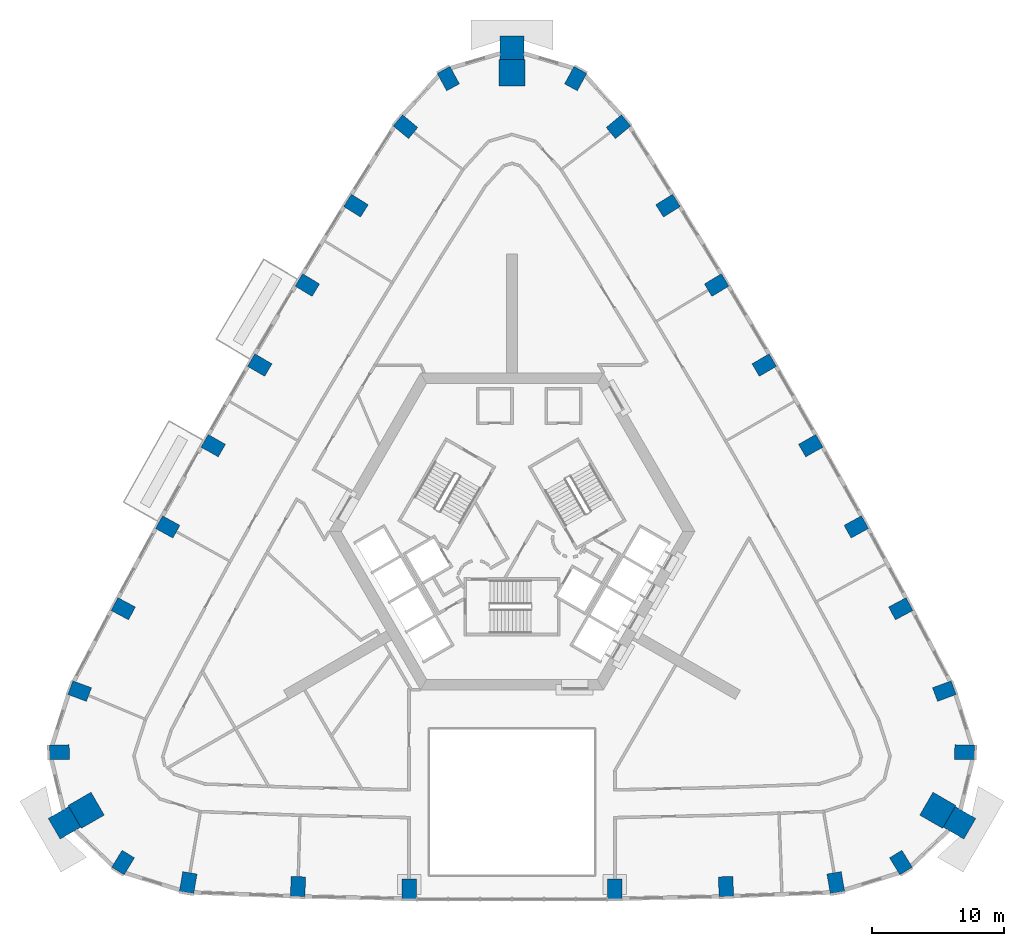
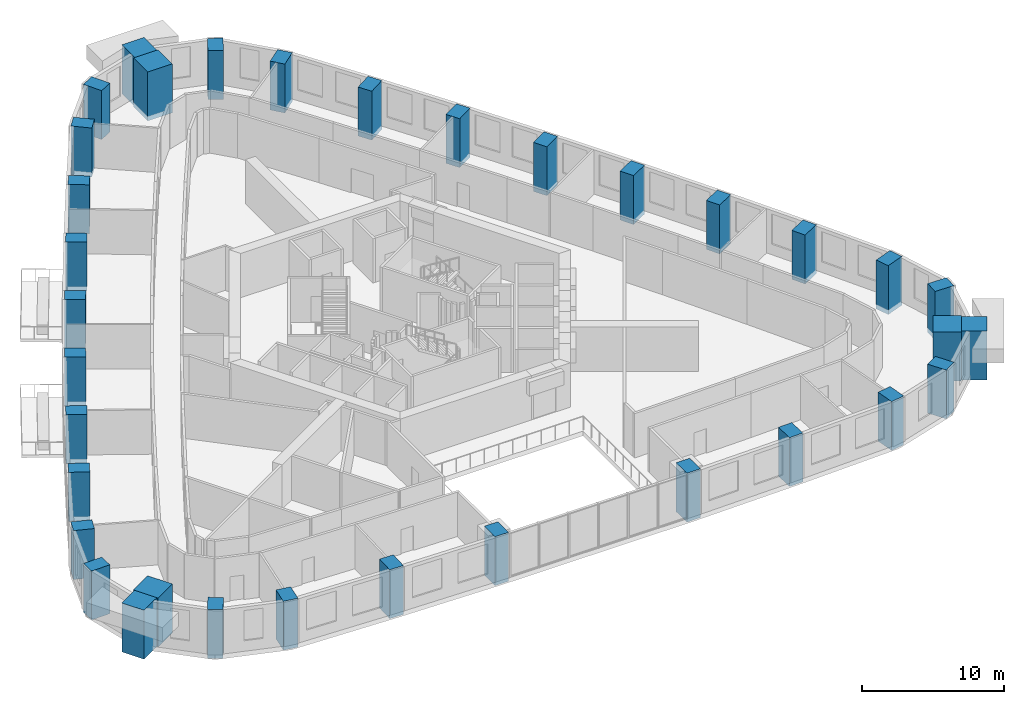
# One storey, part 1 of 15: 34 columns.
"""IFC4 building model written with IfcOpenShell, lengths in metres."""

from ifc_helpers import new_model, si_unit, direction, frame, origin, origin_2d, place, context, subcontext, project, spatial, rectangle, extrude, material, material_profile, profile_set, type_object, element, save


model = new_model("IFC4")

# Units and contexts
model_context = context("Model", 3, precision=1e-05, world=origin(), true_north=direction((0.0, 1.0)))
body_context = subcontext(model_context, "Body", "Model", "MODEL_VIEW")
ifc_project = project(units=[si_unit("LENGTHUNIT", "METRE"), si_unit("AREAUNIT", "SQUARE_METRE"), si_unit("VOLUMEUNIT", "CUBIC_METRE"), si_unit("PLANEANGLEUNIT", "RADIAN"), si_unit("MASSUNIT", "GRAM", prefix="KILO")], contexts=[model_context])

# Site, building, storey
site_placement = place(None, origin())
site = spatial("IfcSite", under=ifc_project, at=site_placement, CompositionType="ELEMENT")
building_placement = place(site_placement, origin())
building = spatial("IfcBuilding", under=site, at=building_placement, Name="Entoto Arch Interchange Tower", CompositionType="ELEMENT")
storey_placement = place(building_placement, frame((0.0, 0.0, 171.800048828125)))
storey = spatial("IfcBuildingStorey", under=building, at=storey_placement, Name="L38", CompositionType="ELEMENT", Elevation=171.800048828125)

# Columns
ifc_material_1 = material(Name="Concrete C50/60", Category="concrete")
ifc_material_profile_1 = material_profile(ifc_material_1, rectangle(XDim=1.10009765625, YDim=1.5, at=origin_2d()))
ifc_profile_set_1 = profile_set([ifc_material_profile_1], Name="Concrete C50/60")
column_type_1 = type_object("IfcColumnType", Name="Column RC 1100x1500 C50/60", PredefinedType="COLUMN", material=ifc_profile_set_1)
for number, where, z_axis, x_axis, name in (
    (1, (-24.51806640625, -24.090087890625, -0.400146484375), (0.0, 0.0, 1.0), (-0.985753417505, 0.168196908046, 0.0), "Column S01 L38"),
    (2, (-16.205078125, -24.389892578125, -0.400146484375), (0.0, 0.0, 1.0), (-0.999496089207, 0.031742206272, 0.0), "Column S02 L38"),
    (3, (-7.7890625, -24.572998046875, -0.400146484375), (0.0, 0.0, 1.0), (-0.999931015761, 0.011745795767, 0.0), "Column S03 L38"),
    (4, (7.7890625, -24.572998046875, -0.400146484375), (0.0, 0.0, 1.0), (0.999931015761, 0.011745795767, 0.0), "Column S04 L38"),
    (5, (16.205078125, -24.389892578125, -0.400146484375), (0.0, 0.0, 1.0), (0.999496089207, 0.031742206272, 0.0), "Column S05 L38"),
    (6, (24.51806640625, -24.090087890625, -0.400146484375), (0.0, 0.0, 1.0), (0.985753417505, 0.168196908046, 0.0), "Column S06 L38"),
    (7, (29.449951171875, -22.571044921875, -0.400146484375), (0.0, 0.0, 1.0), (0.853714435155, 0.520741455243, 0.0), "Column SE1 L38"),
    (8, (34.27099609375, -14.218994140625, -0.400146484375), (0.0, 0.0, 1.0), (0.024118111467, 0.999709116043, 0.0), "Column SE3 L38"),
    (9, (32.738037109375, -9.593017578125, -0.400146484375), (0.0, 0.0, 1.0), (-0.346591874029, 0.93801603017, 0.0), "Column NE01 L38"),
    (10, (29.43994140625, -3.35498046875, -0.400146484375), (0.0, 0.0, 1.0), (-0.469856776649, 0.882742663202, 0.0), "Column NE02 L38"),
    (11, (26.071044921875, 2.841064453125, -0.400146484375), (0.0, 0.0, 1.0), (-0.481983074142, 0.876180527198, 0.0), "Column NE03 L38"),
    (12, (22.623046875, 8.990966796875, -0.400146484375), (0.0, 0.0, 1.0), (-0.49401774245, 0.869451821635, 0.0), "Column NE04 L38"),
    (13, (19.09912109375, 15.097900390625, -0.400146484375), (0.0, 0.0, 1.0), (-0.505958493678, 0.8625578257, 0.0), "Column NE05 L38"),
    (14, (15.49609375, 21.157958984375, -0.400146484375), (0.0, 0.0, 1.0), (-0.517803057784, 0.85549985, 0.0), "Column NE06 L38"),
    (15, (11.81494140625, 27.172119140625, -0.400146484375), (0.0, 0.0, 1.0), (-0.529549183013, 0.848279236319, 0.0), "Column NE07 L38"),
    (16, (8.06103515625, 33.14892578125, -0.400146484375), (0.0, 0.0, 1.0), (-0.63904977427, 0.76916538274, 0.0), "Column NE08 L38"),
    (17, (4.822021484375, 36.7900390625, -0.400146484375), (0.0, 0.0, 1.0), (-0.877832546621, 0.4789676608, 0.0), "Column N1 L38"),
    (18, (-4.822021484375, 36.7900390625, -0.400146484375), (0.0, 0.0, 1.0), (0.877832546621, 0.4789676608, 0.0), "Column N3 L38"),
    (19, (-8.06103515625, 33.14892578125, -0.400146484375), (0.0, 0.0, 1.0), (0.63904977427, 0.76916538274, 0.0), "Column NW01 L38"),
    (20, (-11.81494140625, 27.172119140625, -0.400146484375), (0.0, 0.0, 1.0), (0.529549183013, 0.848279236319, 0.0), "Column NW02 L38"),
    (21, (-15.49609375, 21.157958984375, -0.400146484375), (0.0, 0.0, 1.0), (0.517803057784, 0.85549985, 0.0), "Column NW03 L38"),
    (22, (-19.09912109375, 15.097900390625, -0.400146484375), (0.0, 0.0, 1.0), (0.505958493678, 0.8625578257, 0.0), "Column NW04 L38"),
    (23, (-22.623046875, 8.990966796875, -0.400146484375), (0.0, 0.0, 1.0), (0.49401774245, 0.869451821635, 0.0), "Column NW05 L38"),
    (24, (-26.071044921875, 2.841064453125, -0.400146484375), (0.0, 0.0, 1.0), (0.481983074142, 0.876180527198, 0.0), "Column NW06 L38"),
    (25, (-29.43994140625, -3.35498046875, -0.400146484375), (0.0, 0.0, 1.0), (0.469856776649, 0.882742663202, 0.0), "Column NW07 L38"),
    (26, (-32.738037109375, -9.593017578125, -0.400146484375), (0.0, 0.0, 1.0), (0.346591874029, 0.93801603017, 0.0), "Column NW08 L38"),
    (27, (-34.27099609375, -14.218994140625, -0.400146484375), (0.0, 0.0, 1.0), (-0.024118111467, 0.999709116043, 0.0), "Column SW1 L38"),
    (28, (-29.449951171875, -22.571044921875, -0.400146484375), (0.0, 0.0, 1.0), (-0.853714435155, 0.520741455243, 0.0), "Column SW3 L38"),
):
    element("IfcColumn", number, at=place(storey_placement, frame(where, z_axis=z_axis, x_axis=x_axis)), inside=storey, type_object=column_type_1, Name=name, PredefinedType="COLUMN", context=body_context, shape_type="SweptSolid", body=[
        extrude(rectangle(XDim=1.10009765625, YDim=1.5, at=origin_2d()), origin(), (0.0, 0.0, 1.0), 4.2001953125),
    ])
ifc_material_2 = material(Name="Precast concrete C40/50", Category="concrete")
ifc_material_profile_2 = material_profile(ifc_material_2, rectangle(XDim=1.800048828125, YDim=1.800048828125, at=origin_2d()))
ifc_profile_set_2 = profile_set([ifc_material_profile_2], Name="Precast concrete C40/50")
column_type_2 = type_object("IfcColumnType", Name="Frame post RC 1800x1800 precast C40/50", PredefinedType="COLUMN", material=ifc_profile_set_2)
for number, where, z_axis, x_axis, name in (
    (29, (33.888916015625, -19.56494140625, -0.400146484375), (0.0, 0.0, 1.0), (-0.866025403784, 0.5, 0.0), "Frame post SE L38"),
    (30, (0.0, 39.131103515625, -0.400146484375), (0.0, 0.0, 1.0), (0.0, 1.0, 0.0), "Frame post N L38"),
    (31, (-33.888916015625, -19.56494140625, -0.400146484375), (0.0, 0.0, 1.0), (0.866025403784, 0.5, 0.0), "Frame post SW L38"),
):
    element("IfcColumn", number, at=place(storey_placement, frame(where, z_axis=z_axis, x_axis=x_axis)), inside=storey, type_object=column_type_2, Name=name, PredefinedType="COLUMN", context=body_context, shape_type="SweptSolid", body=[
        extrude(rectangle(XDim=1.800048828125, YDim=1.800048828125, at=origin_2d()), origin(), (0.0, 0.0, 1.0), 4.2001953125),
    ])
ifc_material_profile_3 = material_profile(ifc_material_1, rectangle(XDim=2.0, YDim=2.0, at=origin_2d()))
ifc_profile_set_3 = profile_set([ifc_material_profile_3], Name="Concrete C50/60")
column_type_3 = type_object("IfcColumnType", Name="Mega column RC 2000x2000 C50/60", PredefinedType="COLUMN", material=ifc_profile_set_3)
for number, where, z_axis, x_axis, name in (
    (32, (32.243896484375, -18.614990234375, -0.400146484375), (0.0, 0.0, 1.0), (-0.866025403784, 0.5, 0.0), "Corner mega column SE2 L38"),
    (33, (0.0, 37.23095703125, -0.400146484375), (0.0, 0.0, 1.0), (0.0, 1.0, 0.0), "Corner mega column N2 L38"),
    (34, (-32.243896484375, -18.614990234375, -0.400146484375), (0.0, 0.0, 1.0), (0.866025403784, 0.5, 0.0), "Corner mega column SW2 L38"),
):
    element("IfcColumn", number, at=place(storey_placement, frame(where, z_axis=z_axis, x_axis=x_axis)), inside=storey, type_object=column_type_3, Name=name, PredefinedType="COLUMN", context=body_context, shape_type="SweptSolid", body=[
        extrude(rectangle(XDim=2.0, YDim=2.0, at=origin_2d()), origin(), (0.0, 0.0, 1.0), 4.2001953125),
    ])

save(model, "model.ifc")
